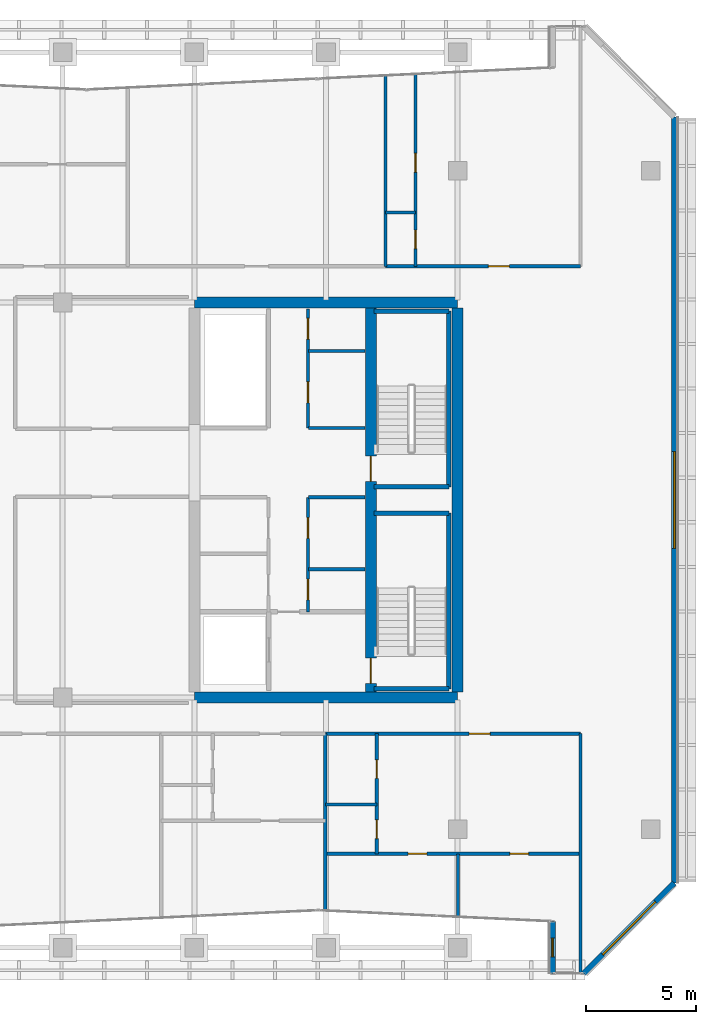
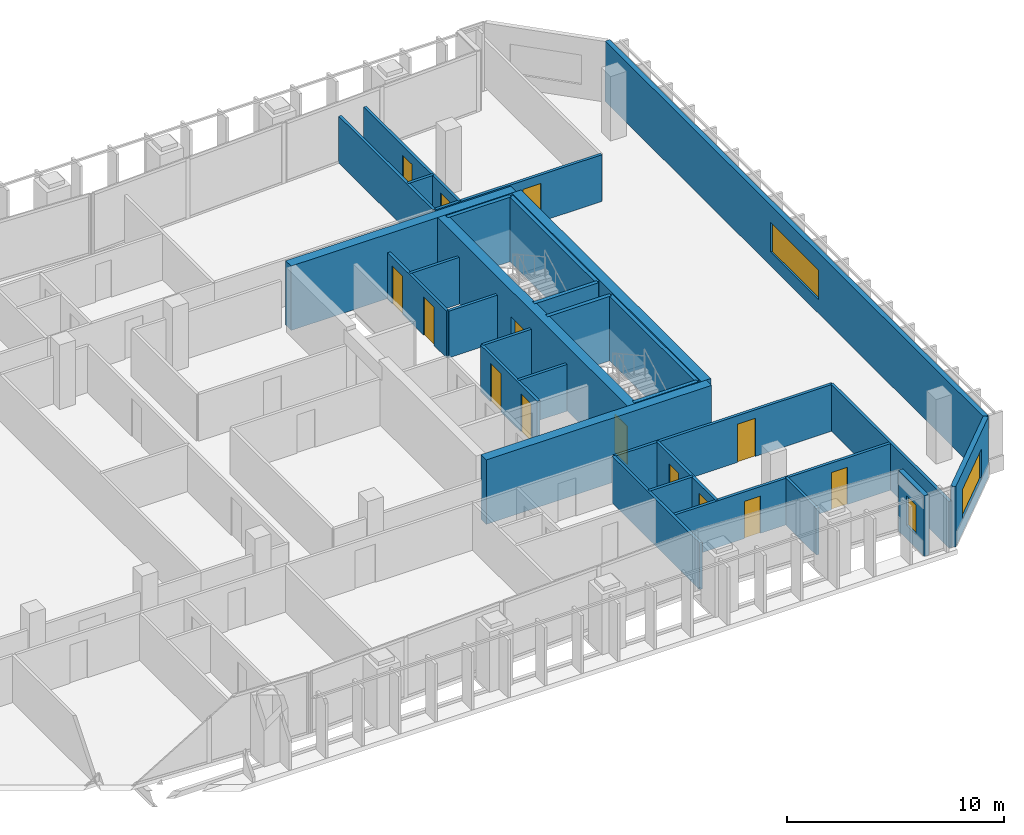
# One storey, part 23 of 29: 30 walls, 14 doors, 3 windows, 17 openings.
"""IFC4 building model written with IfcOpenShell, lengths in metres."""

from ifc_helpers import new_model, si_unit, direction, frame, frame_2d, origin, place, context, subcontext, project, spatial, rectangle, extrude, material, layer, layer_set, type_object, element, fill, save


model = new_model("IFC4")

# Units and contexts
model_context = context("Model", 3, precision=1e-05, world=origin(), true_north=direction((0.0, 1.0)))
body_context = subcontext(model_context, "Body", "Model", "MODEL_VIEW")
ifc_project = project(units=[si_unit("LENGTHUNIT", "METRE"), si_unit("AREAUNIT", "SQUARE_METRE"), si_unit("VOLUMEUNIT", "CUBIC_METRE"), si_unit("PLANEANGLEUNIT", "RADIAN"), si_unit("MASSUNIT", "GRAM", prefix="KILO")], contexts=[model_context])

# Site, building, storey
site_placement = place(None, origin())
site = spatial("IfcSite", under=ifc_project, at=site_placement, CompositionType="ELEMENT")
building_placement = place(site_placement, origin())
building = spatial("IfcBuilding", under=site, at=building_placement, Name="Tanjung Sevakor Pilgrim Tower", CompositionType="ELEMENT")
storey_placement = place(building_placement, frame((0.0, 0.0, 162.030029296875)))
storey = spatial("IfcBuildingStorey", under=building, at=storey_placement, Name="L45", CompositionType="ELEMENT", Elevation=162.030029296875)

# Walls
ifc_material_1 = material(Name="Concrete C60/75", Category="concrete")
ifc_layer_1 = layer(ifc_material_1, 0.5)
ifc_layer_set_1 = layer_set([ifc_layer_1], Name="WALL-CW-500")
wall_type_1 = type_object("IfcWallType", Name="WALL-CW-500", PredefinedType="SHEAR", material=ifc_layer_set_1)
for number, where, z_axis, x_axis, name in (
    (1, (78.0, 24.60009765625, 0.0), (0.0, 0.0, 1.0), (1.0, 0.0, 0.0), "L45 E Core South Shear Wall"),
    (2, (90.0, 42.60009765625, 0.0), (0.0, 0.0, 1.0), (-1.0, 0.0, 0.0), "L45 E Core North Shear Wall"),
):
    element("IfcWall", number, at=place(storey_placement, frame(where, z_axis=z_axis, x_axis=x_axis)), inside=storey, type_object=wall_type_1, Name=name, PredefinedType="SHEAR", context=body_context, shape_type="SweptSolid", body=[
        extrude(rectangle(XDim=12.0, YDim=0.5, at=frame_2d((6.0, 0.0))), origin(), (0.0, 0.0, 1.0), 3.6298828125),
    ])
wall_1_placement = place(storey_placement, frame((90.0, 24.85009765625, 0.0), z_axis=(0.0, 0.0, 1.0), x_axis=(0.0, 1.0, 0.0)))
element("IfcWall", 3, at=wall_1_placement, inside=storey, type_object=wall_type_1, Name="L45 E Core Outer Shear Wall", PredefinedType="SHEAR", context=body_context, shape_type="SweptSolid", body=[
    extrude(rectangle(XDim=17.5, YDim=0.5, at=frame_2d((8.75, 0.0))), origin(), (0.0, 0.0, 1.0), 3.6298828125),
])

# Wall, openings, doors
wall_2_placement = place(storey_placement, frame((86.050048828125, 24.85009765625, 0.0), z_axis=(0.0, 0.0, 1.0), x_axis=(0.0, 1.0, 0.0)))
wall_2 = element("IfcWall", 4, at=wall_2_placement, inside=storey, type_object=wall_type_1, Name="L45 E Core Stair Spine Wall", PredefinedType="SHEAR", context=body_context, shape_type="SweptSolid", body=[
    extrude(rectangle(XDim=17.5, YDim=0.5, at=frame_2d((8.75, 0.0))), origin(), (0.0, 0.0, 1.0), 3.6298828125),
])
opening_1_placement = place(wall_2_placement, frame((0.39990234375, 0.0, 0.0)))
opening_1 = element("IfcOpeningElement", 5, at=opening_1_placement, cuts=wall_2, Name="Opening ID-ST1", PredefinedType="OPENING", context=body_context, shape_type="SweptSolid", body=[
    extrude(rectangle(XDim=1.14990234375, YDim=2.14990234375, at=frame_2d((0.574951171875, 1.074951171875))), frame((0.0, 0.260009765625, 0.0), z_axis=(0.0, -1.0, 0.0), x_axis=(1.0, 0.0, 0.0)), (0.0, 0.0, 1.0), 0.52001953125),
])
opening_2_placement = place(wall_2_placement, frame((9.60009765625, 0.0, 0.0)))
opening_2 = element("IfcOpeningElement", 6, at=opening_2_placement, cuts=wall_2, Name="Opening ID-ST1", PredefinedType="OPENING", context=body_context, shape_type="SweptSolid", body=[
    extrude(rectangle(XDim=1.14990234375, YDim=2.14990234375, at=frame_2d((0.574951171875, 1.074951171875))), frame((0.0, 0.260009765625, 0.0), z_axis=(0.0, -1.0, 0.0), x_axis=(1.0, 0.0, 0.0)), (0.0, 0.0, 1.0), 0.52001953125),
])
ifc_material_2 = material(Name="Fire-Rated Steel S355J2", Category="steel")
door_type_1 = type_object("IfcDoorType", Name="DT-FIRE-1150", OperationType="NOTDEFINED", PredefinedType="DOOR", material=ifc_material_2)
door_1_placement = place(opening_1_placement, origin())
door_1 = element("IfcDoor", 7, at=door_1_placement, inside=storey, type_object=door_type_1, Name="L45 TS-E1 Stair Fire Door", OperationType="SINGLE_SWING_RIGHT", OverallHeight=2.14990234375, OverallWidth=1.14990234375, PredefinedType="DOOR", context=body_context, shape_type="SweptSolid", body=[
    extrude(rectangle(XDim=1.14990234375, YDim=2.14990234375, at=frame_2d((0.574951171875, 1.074951171875))), frame((0.0, 0.02490234375, 0.0), z_axis=(0.0, -1.0, 0.0), x_axis=(1.0, 0.0, 0.0)), (0.0, 0.0, 1.0), 0.050048828125),
])
fill(opening_1, door_1)
door_2_placement = place(opening_2_placement, origin())
door_2 = element("IfcDoor", 8, at=door_2_placement, inside=storey, type_object=door_type_1, Name="L45 TS-E2 Stair Fire Door", OperationType="SINGLE_SWING_LEFT", OverallHeight=2.14990234375, OverallWidth=1.14990234375, PredefinedType="DOOR", context=body_context, shape_type="SweptSolid", body=[
    extrude(rectangle(XDim=1.14990234375, YDim=2.14990234375, at=frame_2d((0.574951171875, 1.074951171875))), frame((0.0, 0.02490234375, 0.0), z_axis=(0.0, -1.0, 0.0), x_axis=(1.0, 0.0, 0.0)), (0.0, 0.0, 1.0), 0.050048828125),
])
fill(opening_2, door_2)

# Walls
ifc_material_3 = material(Name="Concrete C40/50", Category="concrete")
ifc_layer_2 = layer(ifc_material_3, 0.14990234375)
ifc_layer_set_2 = layer_set([ifc_layer_2], Name="WT-COMP-150")
wall_type_2 = type_object("IfcWallType", Name="WT-COMP-150", PredefinedType="SOLIDWALL", material=ifc_layer_set_2)
for number, where, z_axis, x_axis, name in (
    (9, (83.199951171875, 30.449951171875, 0.0), (0.0, 0.0, 1.0), (1.0, 0.0, 0.0), "L45 Partition IW-L45-016"),
    (10, (83.199951171875, 33.719970703125, 0.0), (0.0, 0.0, 1.0), (1.0, 0.0, 0.0), "L45 Partition IW-L45-017"),
):
    element("IfcWall", number, at=place(storey_placement, frame(where, z_axis=z_axis, x_axis=x_axis)), inside=storey, type_object=wall_type_2, Name=name, PredefinedType="SOLIDWALL", context=body_context, shape_type="SweptSolid", body=[
        extrude(rectangle(XDim=2.580078125, YDim=0.14990234375, at=frame_2d((1.2900390625, 0.0))), origin(), (0.0, 0.0, 1.0), 2.6298828125),
    ])

# Wall, openings, doors
wall_3_placement = place(storey_placement, frame((83.179931640625, 28.5, 0.0), z_axis=(0.0, 0.0, 1.0), x_axis=(0.0, 1.0, 0.0)))
wall_3 = element("IfcWall", 11, at=wall_3_placement, inside=storey, type_object=wall_type_2, Name="L45 Partition IW-L45-018", PredefinedType="SOLIDWALL", context=body_context, shape_type="SweptSolid", body=[
    extrude(rectangle(XDim=5.219970703125, YDim=0.14990234375, at=frame_2d((2.60986328125, 0.0))), origin(), (0.0, 0.0, 1.0), 2.6298828125),
])
opening_3_placement = place(wall_3_placement, frame((0.550048828125, 0.0, 0.0)))
opening_3 = element("IfcOpeningElement", 12, at=opening_3_placement, cuts=wall_3, Name="Opening ID-FD2", PredefinedType="OPENING", context=body_context, shape_type="SweptSolid", body=[
    extrude(rectangle(XDim=0.949951171875, YDim=2.14990234375, at=frame_2d((0.47509765625, 1.074951171875))), frame((0.0, 0.0849609375, 0.0), z_axis=(0.0, -1.0, 0.0), x_axis=(1.0, 0.0, 0.0)), (0.0, 0.0, 1.0), 0.169921875),
])
opening_4_placement = place(wall_3_placement, frame((3.35009765625, 0.0, 0.0)))
opening_4 = element("IfcOpeningElement", 13, at=opening_4_placement, cuts=wall_3, Name="Opening ID-FD2", PredefinedType="OPENING", context=body_context, shape_type="SweptSolid", body=[
    extrude(rectangle(XDim=0.949951171875, YDim=2.14990234375, at=frame_2d((0.47509765625, 1.074951171875))), frame((0.0, 0.0849609375, 0.0), z_axis=(0.0, -1.0, 0.0), x_axis=(1.0, 0.0, 0.0)), (0.0, 0.0, 1.0), 0.169921875),
])
ifc_material_4 = material(Name="Fire-Rated Timber", Category="wood")
door_type_2 = type_object("IfcDoorType", Name="DT-FIRE-950", OperationType="NOTDEFINED", PredefinedType="DOOR", material=ifc_material_4)
door_3_placement = place(opening_3_placement, origin())
door_3 = element("IfcDoor", 14, at=door_3_placement, inside=storey, type_object=door_type_2, Name="L45 Cleaner Store Door", OperationType="SINGLE_SWING_LEFT", OverallHeight=2.14990234375, OverallWidth=0.949951171875, PredefinedType="DOOR", context=body_context, shape_type="SweptSolid", body=[
    extrude(rectangle(XDim=0.949951171875, YDim=2.14990234375, at=frame_2d((0.47509765625, 1.074951171875))), frame((0.0, 0.02490234375, 0.0), z_axis=(0.0, -1.0, 0.0), x_axis=(1.0, 0.0, 0.0)), (0.0, 0.0, 1.0), 0.050048828125),
])
fill(opening_3, door_3)
door_4_placement = place(opening_4_placement, origin())
door_4 = element("IfcDoor", 15, at=door_4_placement, inside=storey, type_object=door_type_2, Name="L45 Housekeeping Pantry Door", OperationType="SINGLE_SWING_RIGHT", OverallHeight=2.14990234375, OverallWidth=0.949951171875, PredefinedType="DOOR", context=body_context, shape_type="SweptSolid", body=[
    extrude(rectangle(XDim=0.949951171875, YDim=2.14990234375, at=frame_2d((0.47509765625, 1.074951171875))), frame((0.0, 0.02490234375, 0.0), z_axis=(0.0, -1.0, 0.0), x_axis=(1.0, 0.0, 0.0)), (0.0, 0.0, 1.0), 0.050048828125),
])
fill(opening_4, door_4)

# Walls
for number, where, z_axis, x_axis, name in (
    (16, (83.199951171875, 36.8798828125, 0.0), (0.0, 0.0, 1.0), (1.0, 0.0, 0.0), "L45 Partition IW-L45-022"),
    (17, (83.199951171875, 40.389892578125, 0.0), (0.0, 0.0, 1.0), (1.0, 0.0, 0.0), "L45 Partition IW-L45-023"),
):
    element("IfcWall", number, at=place(storey_placement, frame(where, z_axis=z_axis, x_axis=x_axis)), inside=storey, type_object=wall_type_2, Name=name, PredefinedType="SOLIDWALL", context=body_context, shape_type="SweptSolid", body=[
        extrude(rectangle(XDim=2.580078125, YDim=0.14990234375, at=frame_2d((1.2900390625, 0.0))), origin(), (0.0, 0.0, 1.0), 2.6298828125),
    ])

# Wall, openings, doors
wall_4_placement = place(storey_placement, frame((83.179931640625, 36.8798828125, 0.0), z_axis=(0.0, 0.0, 1.0), x_axis=(0.0, 1.0, 0.0)))
wall_4 = element("IfcWall", 18, at=wall_4_placement, inside=storey, type_object=wall_type_2, Name="L45 Partition IW-L45-024", PredefinedType="SOLIDWALL", context=body_context, shape_type="SweptSolid", body=[
    extrude(rectangle(XDim=5.420166015625, YDim=0.14990234375, at=frame_2d((2.7099609375, 0.0))), origin(), (0.0, 0.0, 1.0), 2.6298828125),
])
opening_5_placement = place(wall_4_placement, frame((1.14990234375, 0.0, 0.0)))
opening_5 = element("IfcOpeningElement", 19, at=opening_5_placement, cuts=wall_4, Name="Opening ID-FD2", PredefinedType="OPENING", context=body_context, shape_type="SweptSolid", body=[
    extrude(rectangle(XDim=0.949951171875, YDim=2.14990234375, at=frame_2d((0.47509765625, 1.074951171875))), frame((0.0, 0.0849609375, 0.0), z_axis=(0.0, -1.0, 0.0), x_axis=(1.0, 0.0, 0.0)), (0.0, 0.0, 1.0), 0.169921875),
])
opening_6_placement = place(wall_4_placement, frame((4.050048828125, 0.0, 0.0)))
opening_6 = element("IfcOpeningElement", 20, at=opening_6_placement, cuts=wall_4, Name="Opening ID-FD2", PredefinedType="OPENING", context=body_context, shape_type="SweptSolid", body=[
    extrude(rectangle(XDim=0.949951171875, YDim=2.14990234375, at=frame_2d((0.47509765625, 1.074951171875))), frame((0.0, 0.0849609375, 0.0), z_axis=(0.0, -1.0, 0.0), x_axis=(1.0, 0.0, 0.0)), (0.0, 0.0, 1.0), 0.169921875),
])
door_5_placement = place(opening_5_placement, origin())
door_5 = element("IfcDoor", 21, at=door_5_placement, inside=storey, type_object=door_type_2, Name="L45 Core Study Room Door", OperationType="SINGLE_SWING_LEFT", OverallHeight=2.14990234375, OverallWidth=0.949951171875, PredefinedType="DOOR", context=body_context, shape_type="SweptSolid", body=[
    extrude(rectangle(XDim=0.949951171875, YDim=2.14990234375, at=frame_2d((0.47509765625, 1.074951171875))), frame((0.0, 0.02490234375, 0.0), z_axis=(0.0, -1.0, 0.0), x_axis=(1.0, 0.0, 0.0)), (0.0, 0.0, 1.0), 0.050048828125),
])
fill(opening_5, door_5)
door_6_placement = place(opening_6_placement, origin())
door_6 = element("IfcDoor", 22, at=door_6_placement, inside=storey, type_object=door_type_2, Name="L45 Service Store Door", OperationType="SINGLE_SWING_RIGHT", OverallHeight=2.14990234375, OverallWidth=0.949951171875, PredefinedType="DOOR", context=body_context, shape_type="SweptSolid", body=[
    extrude(rectangle(XDim=0.949951171875, YDim=2.14990234375, at=frame_2d((0.47509765625, 1.074951171875))), frame((0.0, 0.02490234375, 0.0), z_axis=(0.0, -1.0, 0.0), x_axis=(1.0, 0.0, 0.0)), (0.0, 0.0, 1.0), 0.050048828125),
])
fill(opening_6, door_6)

# Walls
wall_5_placement = place(storey_placement, frame((95.60009765625, 12.02490234375, 0.0), z_axis=(0.0, 0.0, 1.0), x_axis=(0.0, 1.0, 0.0)))
element("IfcWall", 23, at=wall_5_placement, inside=storey, type_object=wall_type_2, Name="L45 Partition IW-L45-073", PredefinedType="SOLIDWALL", context=body_context, shape_type="SweptSolid", body=[
    extrude(rectangle(XDim=10.925048828125, YDim=0.14990234375, at=frame_2d((5.46240234375, 0.0))), origin(), (0.0, 0.0, 1.0), 2.6298828125),
])
wall_6_placement = place(storey_placement, frame((83.968505859375, 14.889892578125, 0.0), z_axis=(0.0, 0.0, 1.0), x_axis=(0.0, 1.0, 0.0)))
element("IfcWall", 24, at=wall_6_placement, inside=storey, type_object=wall_type_2, Name="L45 Partition IW-L45-082", PredefinedType="SOLIDWALL", context=body_context, shape_type="SweptSolid", body=[
    extrude(rectangle(XDim=8.06005859375, YDim=0.14990234375, at=frame_2d((4.030029296875, 0.0))), origin(), (0.0, 0.0, 1.0), 2.6298828125),
])

# Wall, opening, door
wall_7_placement = place(storey_placement, frame((83.968505859375, 22.949951171875, 0.0), z_axis=(0.0, 0.0, 1.0), x_axis=(1.0, 0.0, 0.0)))
wall_7 = element("IfcWall", 25, at=wall_7_placement, inside=storey, type_object=wall_type_2, Name="L45 Partition IW-L45-091", PredefinedType="SOLIDWALL", context=body_context, shape_type="SweptSolid", body=[
    extrude(rectangle(XDim=11.631591796875, YDim=0.14990234375, at=frame_2d((5.81591796875, 0.0))), origin(), (0.0, 0.0, 1.0), 2.6298828125),
])
opening_7_placement = place(wall_7_placement, frame((6.555908203125, 0.0, 0.0)))
opening_7 = element("IfcOpeningElement", 26, at=opening_7_placement, cuts=wall_7, Name="Opening ID-FD2", PredefinedType="OPENING", context=body_context, shape_type="SweptSolid", body=[
    extrude(rectangle(XDim=0.949951171875, YDim=2.14990234375, at=frame_2d((0.47509765625, 1.074951171875))), frame((0.0, 0.0849609375, 0.0), z_axis=(0.0, -1.0, 0.0), x_axis=(1.0, 0.0, 0.0)), (0.0, 0.0, 1.0), 0.169921875),
])
door_7_placement = place(opening_7_placement, origin())
door_7 = element("IfcDoor", 27, at=door_7_placement, inside=storey, type_object=door_type_2, Name="Suite Entrance", OperationType="SINGLE_SWING_RIGHT", OverallHeight=2.14990234375, OverallWidth=0.949951171875, PredefinedType="DOOR", context=body_context, shape_type="SweptSolid", body=[
    extrude(rectangle(XDim=0.949951171875, YDim=2.14990234375, at=frame_2d((0.47509765625, 1.074951171875))), frame((0.0, 0.02490234375, 0.0), z_axis=(0.0, -1.0, 0.0), x_axis=(1.0, 0.0, 0.0)), (0.0, 0.0, 1.0), 0.050048828125),
])
fill(opening_7, door_7)

# Wall
wall_8_placement = place(storey_placement, frame((86.713623046875, 44.25, 0.0), z_axis=(0.0, 0.0, 1.0), x_axis=(0.0, 1.0, 0.0)))
element("IfcWall", 28, at=wall_8_placement, inside=storey, type_object=wall_type_2, Name="L45 Partition IW-L45-115", PredefinedType="SOLIDWALL", context=body_context, shape_type="SweptSolid", body=[
    extrude(rectangle(XDim=8.68994140625, YDim=0.14990234375, at=frame_2d((4.344970703125, 0.0))), origin(), (0.0, 0.0, 1.0), 2.6298828125),
])

# Wall, opening, door
wall_9_placement = place(storey_placement, frame((86.713623046875, 44.25, 0.0), z_axis=(0.0, 0.0, 1.0), x_axis=(1.0, 0.0, 0.0)))
wall_9 = element("IfcWall", 29, at=wall_9_placement, inside=storey, type_object=wall_type_2, Name="L45 Partition IW-L45-119", PredefinedType="SOLIDWALL", context=body_context, shape_type="SweptSolid", body=[
    extrude(rectangle(XDim=8.886474609375, YDim=0.14990234375, at=frame_2d((4.443359375, 0.0))), origin(), (0.0, 0.0, 1.0), 2.6298828125),
])
opening_8_placement = place(wall_9_placement, frame((4.69140625, 0.0, 0.0)))
opening_8 = element("IfcOpeningElement", 30, at=opening_8_placement, cuts=wall_9, Name="Opening ID-FD2", PredefinedType="OPENING", context=body_context, shape_type="SweptSolid", body=[
    extrude(rectangle(XDim=0.949951171875, YDim=2.14990234375, at=frame_2d((0.47509765625, 1.074951171875))), frame((0.0, 0.0849609375, 0.0), z_axis=(0.0, -1.0, 0.0), x_axis=(1.0, 0.0, 0.0)), (0.0, 0.0, 1.0), 0.169921875),
])
door_8_placement = place(opening_8_placement, origin())
door_8 = element("IfcDoor", 31, at=door_8_placement, inside=storey, type_object=door_type_2, Name="Hostel Quad Entrance", OperationType="SINGLE_SWING_LEFT", OverallHeight=2.14990234375, OverallWidth=0.949951171875, PredefinedType="DOOR", context=body_context, shape_type="SweptSolid", body=[
    extrude(rectangle(XDim=0.949951171875, YDim=2.14990234375, at=frame_2d((0.47509765625, 1.074951171875))), frame((0.0, 0.02490234375, 0.0), z_axis=(0.0, -1.0, 0.0), x_axis=(1.0, 0.0, 0.0)), (0.0, 0.0, 1.0), 0.050048828125),
])
fill(opening_8, door_8)

# Wall, opening, window
ifc_material_5 = material(Name="Precast concrete C45/55", Category="concrete")
ifc_layer_3 = layer(ifc_material_5, 0.25)
ifc_layer_set_3 = layer_set([ifc_layer_3], Name="WT-EW-STN3")
wall_type_3 = type_object("IfcWallType", Name="WT-EW-STN3", PredefinedType="SOLIDWALL", material=ifc_layer_set_3)
wall_10_placement = place(storey_placement, frame((94.324951171875, 14.399169921875, 0.0), z_axis=(0.0, 0.0, 1.0), x_axis=(0.0, -1.0, 0.0)))
wall_10 = element("IfcWall", 32, at=wall_10_placement, inside=storey, type_object=wall_type_3, Name="L45 MAIN Exterior Wall 14", PredefinedType="SOLIDWALL", context=body_context, shape_type="SweptSolid", body=[
    extrude(rectangle(XDim=2.374267578125, YDim=0.25, at=frame_2d((1.18701171875, 0.0))), origin(), (0.0, 0.0, 1.0), 3.409912109375),
])
opening_9_placement = place(wall_10_placement, frame((0.76220703125, 0.0, 0.780029296875)))
opening_9 = element("IfcOpeningElement", 33, at=opening_9_placement, cuts=wall_10, Name="Opening WN-SLM", PredefinedType="OPENING", context=body_context, shape_type="SweptSolid", body=[
    extrude(rectangle(XDim=0.85009765625, YDim=1.64990234375, at=frame_2d((0.425048828125, 0.824951171875))), frame((0.0, 0.135009765625, 0.0), z_axis=(0.0, -1.0, 0.0), x_axis=(1.0, 0.0, 0.0)), (0.0, 0.0, 1.0), 0.27001953125),
])
ifc_material_6 = material(Name="Thermally Broken Aluminium and Low-E Glass", Category="aluminium")
window_type_1 = type_object("IfcWindowType", Name="WTYP-WN-SLM", PartitioningType="SINGLE_PANEL", PredefinedType="WINDOW", material=ifc_material_6)
window_1_placement = place(opening_9_placement, origin())
window_1 = element("IfcWindow", 34, at=window_1_placement, inside=storey, type_object=window_type_1, Name="L45 Facade Window 01", OverallHeight=1.64990234375, OverallWidth=0.85009765625, PartitioningType="SINGLE_PANEL", PredefinedType="WINDOW", context=body_context, shape_type="SweptSolid", body=[
    extrude(rectangle(XDim=0.85009765625, YDim=1.64990234375, at=frame_2d((0.425048828125, 0.824951171875))), frame((0.0, 0.030029296875, 0.0), z_axis=(0.0, -1.0, 0.0), x_axis=(1.0, 0.0, 0.0)), (0.0, 0.0, 1.0), 0.06005859375),
])
fill(opening_9, window_1)

wall_11_placement = place(storey_placement, frame((95.748291015625, 12.02490234375, 0.0), z_axis=(0.0, 0.0, 1.0), x_axis=(0.70708586489, 0.707127696864, 0.0)))
wall_11 = element("IfcWall", 35, at=wall_11_placement, inside=storey, type_object=wall_type_3, Name="L45 MAIN Sculpted Corner Wall 15", PredefinedType="SOLIDWALL", context=body_context, shape_type="SweptSolid", body=[
    extrude(rectangle(XDim=5.836181640625, YDim=0.25, at=frame_2d((2.91796875, 0.0))), origin(), (0.0, 0.0, 1.0), 3.409912109375),
])
opening_10_placement = place(wall_11_placement, frame((1.218017578125, 0.0, 0.780029296875)))
opening_10 = element("IfcOpeningElement", 36, at=opening_10_placement, cuts=wall_11, Name="Opening WN-CHM-1660", PredefinedType="OPENING", context=body_context, shape_type="SweptSolid", body=[
    extrude(rectangle(XDim=3.39990234375, YDim=1.659912109375, at=frame_2d((1.699951171875, 0.830078125))), frame((0.0, 0.135009765625, 0.0), z_axis=(0.0, -1.0, 0.0), x_axis=(1.0, 0.0, 0.0)), (0.0, 0.0, 1.0), 0.27001953125),
])
ifc_material_7 = material(Name="Thermally Broken Aluminium and Low-E Glass", Category="aluminium")
window_type_2 = type_object("IfcWindowType", Name="WTYP-WN-CHM-1660", PartitioningType="DOUBLE_PANEL_VERTICAL", PredefinedType="WINDOW", material=ifc_material_7)
window_2_placement = place(opening_10_placement, origin())
window_2 = element("IfcWindow", 37, at=window_2_placement, inside=storey, type_object=window_type_2, Name="L45 Facade Window 01", OverallHeight=1.659912109375, OverallWidth=3.39990234375, PartitioningType="SINGLE_PANEL", PredefinedType="WINDOW", context=body_context, shape_type="SweptSolid", body=[
    extrude(rectangle(XDim=3.39990234375, YDim=1.659912109375, at=frame_2d((1.699951171875, 0.830078125))), frame((0.0, 0.030029296875, 0.0), z_axis=(0.0, -1.0, 0.0), x_axis=(1.0, 0.0, 0.0)), (0.0, 0.0, 1.0), 0.06005859375),
])
fill(opening_10, window_2)

wall_12_placement = place(storey_placement, frame((99.875, 16.15185546875, 0.0), z_axis=(0.0, 0.0, 1.0), x_axis=(0.0, 1.0, 0.0)))
wall_12 = element("IfcWall", 38, at=wall_12_placement, inside=storey, type_object=wall_type_3, Name="L45 MAIN Exterior Wall 17", PredefinedType="SOLIDWALL", context=body_context, shape_type="SweptSolid", body=[
    extrude(rectangle(XDim=34.896240234375, YDim=0.25, at=frame_2d((17.4482421875, 0.0))), origin(), (0.0, 0.0, 1.0), 3.409912109375),
])
opening_11_placement = place(wall_12_placement, frame((15.248291015625, 0.0, 0.780029296875)))
opening_11 = element("IfcOpeningElement", 39, at=opening_11_placement, cuts=wall_12, Name="Opening WN-ENDW-1660", PredefinedType="OPENING", context=body_context, shape_type="SweptSolid", body=[
    extrude(rectangle(XDim=4.39990234375, YDim=1.659912109375, at=frame_2d((2.199951171875, 0.830078125))), frame((0.0, 0.135009765625, 0.0), z_axis=(0.0, -1.0, 0.0), x_axis=(1.0, 0.0, 0.0)), (0.0, 0.0, 1.0), 0.27001953125),
])
ifc_material_8 = material(Name="Thermally Broken Aluminium and Low-E Glass", Category="aluminium")
window_type_3 = type_object("IfcWindowType", Name="WTYP-WN-ENDW-1660", PartitioningType="DOUBLE_PANEL_VERTICAL", PredefinedType="WINDOW", material=ifc_material_8)
window_3_placement = place(opening_11_placement, origin())
window_3 = element("IfcWindow", 40, at=window_3_placement, inside=storey, type_object=window_type_3, Name="L45 Facade Window 01", OverallHeight=1.659912109375, OverallWidth=4.39990234375, PartitioningType="SINGLE_PANEL", PredefinedType="WINDOW", context=body_context, shape_type="SweptSolid", body=[
    extrude(rectangle(XDim=4.39990234375, YDim=1.659912109375, at=frame_2d((2.199951171875, 0.830078125))), frame((0.0, 0.030029296875, 0.0), z_axis=(0.0, -1.0, 0.0), x_axis=(1.0, 0.0, 0.0)), (0.0, 0.0, 1.0), 0.06005859375),
])
fill(opening_11, window_3)

# Walls
ifc_material_9 = material(Name="Concrete C40/50", Category="concrete")
ifc_layer_4 = layer(ifc_material_9, 0.199951171875)
ifc_layer_set_4 = layer_set([ifc_layer_4], Name="WT-FIRE-200")
wall_type_4 = type_object("IfcWallType", Name="WT-FIRE-200", PredefinedType="SOLIDWALL", material=ifc_layer_set_4)
wall_13_placement = place(storey_placement, frame((86.199951171875, 25.0, 0.0), z_axis=(0.0, 0.0, 1.0), x_axis=(1.0, 0.0, 0.0)))
element("IfcWall", 41, at=wall_13_placement, inside=storey, type_object=wall_type_4, Name="L45 TS-E1 Shaft Wall 1", PredefinedType="SOLIDWALL", context=body_context, shape_type="SweptSolid", body=[
    extrude(rectangle(XDim=3.400146484375, YDim=0.199951171875, at=frame_2d((1.7001953125, 0.0))), origin(), (0.0, 0.0, 1.0), 3.6298828125),
])
wall_14_placement = place(storey_placement, frame((89.60009765625, 25.0, 0.0), z_axis=(0.0, 0.0, 1.0), x_axis=(0.0, 1.0, 0.0)))
element("IfcWall", 42, at=wall_14_placement, inside=storey, type_object=wall_type_4, Name="L45 TS-E1 Shaft Wall 2", PredefinedType="SOLIDWALL", context=body_context, shape_type="SweptSolid", body=[
    extrude(rectangle(XDim=8.0, YDim=0.199951171875, at=frame_2d((4.0, 0.0))), origin(), (0.0, 0.0, 1.0), 3.6298828125),
])
for number, where, z_axis, x_axis, name in (
    (43, (89.60009765625, 33.0, 0.0), (0.0, 0.0, 1.0), (-1.0, 0.0, 0.0), "L45 TS-E1 Shaft Wall 3"),
    (44, (86.199951171875, 34.199951171875, 0.0), (0.0, 0.0, 1.0), (1.0, 0.0, 0.0), "L45 TS-E2 Shaft Wall 1"),
):
    element("IfcWall", number, at=place(storey_placement, frame(where, z_axis=z_axis, x_axis=x_axis)), inside=storey, type_object=wall_type_4, Name=name, PredefinedType="SOLIDWALL", context=body_context, shape_type="SweptSolid", body=[
        extrude(rectangle(XDim=3.400146484375, YDim=0.199951171875, at=frame_2d((1.7001953125, 0.0))), origin(), (0.0, 0.0, 1.0), 3.6298828125),
    ])
wall_15_placement = place(storey_placement, frame((89.60009765625, 34.199951171875, 0.0), z_axis=(0.0, 0.0, 1.0), x_axis=(0.0, 1.0, 0.0)))
element("IfcWall", 45, at=wall_15_placement, inside=storey, type_object=wall_type_4, Name="L45 TS-E2 Shaft Wall 2", PredefinedType="SOLIDWALL", context=body_context, shape_type="SweptSolid", body=[
    extrude(rectangle(XDim=8.0, YDim=0.199951171875, at=frame_2d((4.0, 0.0))), origin(), (0.0, 0.0, 1.0), 3.6298828125),
])
wall_16_placement = place(storey_placement, frame((89.60009765625, 42.199951171875, 0.0), z_axis=(0.0, 0.0, 1.0), x_axis=(-1.0, 0.0, 0.0)))
element("IfcWall", 46, at=wall_16_placement, inside=storey, type_object=wall_type_4, Name="L45 TS-E2 Shaft Wall 3", PredefinedType="SOLIDWALL", context=body_context, shape_type="SweptSolid", body=[
    extrude(rectangle(XDim=3.400146484375, YDim=0.199951171875, at=frame_2d((1.7001953125, 0.0))), origin(), (0.0, 0.0, 1.0), 3.6298828125),
])
ifc_material_10 = material(Name="Gypsum Board Partition", Category="gypsum board")
ifc_layer_5 = layer(ifc_material_10, 0.14990234375)
ifc_layer_set_5 = layer_set([ifc_layer_5], Name="WT-PART-150")
wall_type_5 = type_object("IfcWallType", Name="WT-PART-150", PredefinedType="PARTITIONING", material=ifc_layer_set_5)
wall_17_placement = place(storey_placement, frame((83.968505859375, 19.723388671875, 0.0), z_axis=(0.0, 0.0, 1.0), x_axis=(1.0, 0.0, 0.0)))
element("IfcWall", 47, at=wall_17_placement, inside=storey, type_object=wall_type_5, Name="L45 Partition IW-L45-087", PredefinedType="PARTITIONING", context=body_context, shape_type="SweptSolid", body=[
    extrude(rectangle(XDim=2.349853515625, YDim=0.14990234375, at=frame_2d((1.1748046875, 0.0))), origin(), (0.0, 0.0, 1.0), 2.6298828125),
])

# Wall, openings, doors
wall_18_placement = place(storey_placement, frame((86.318359375, 17.48095703125, 0.0), z_axis=(0.0, 0.0, 1.0), x_axis=(0.0, 1.0, 0.0)))
wall_18 = element("IfcWall", 48, at=wall_18_placement, inside=storey, type_object=wall_type_5, Name="L45 Partition IW-L45-088", PredefinedType="PARTITIONING", context=body_context, shape_type="SweptSolid", body=[
    extrude(rectangle(XDim=5.468994140625, YDim=0.14990234375, at=frame_2d((2.734375, 0.0))), origin(), (0.0, 0.0, 1.0), 2.6298828125),
])
opening_12_placement = place(wall_18_placement, frame((0.696044921875, 0.0, 0.0)))
opening_12 = element("IfcOpeningElement", 49, at=opening_12_placement, cuts=wall_18, Name="Opening ID-WC1", PredefinedType="OPENING", context=body_context, shape_type="SweptSolid", body=[
    extrude(rectangle(XDim=0.85009765625, YDim=2.10009765625, at=frame_2d((0.425048828125, 1.050048828125))), frame((0.0, 0.0849609375, 0.0), z_axis=(0.0, -1.0, 0.0), x_axis=(1.0, 0.0, 0.0)), (0.0, 0.0, 1.0), 0.169921875),
])
opening_13_placement = place(wall_18_placement, frame((3.4306640625, 0.0, 0.0)))
opening_13 = element("IfcOpeningElement", 50, at=opening_13_placement, cuts=wall_18, Name="Opening ID-WC1", PredefinedType="OPENING", context=body_context, shape_type="SweptSolid", body=[
    extrude(rectangle(XDim=0.85009765625, YDim=2.10009765625, at=frame_2d((0.425048828125, 1.050048828125))), frame((0.0, 0.0849609375, 0.0), z_axis=(0.0, -1.0, 0.0), x_axis=(1.0, 0.0, 0.0)), (0.0, 0.0, 1.0), 0.169921875),
])
ifc_material_11 = material(Name="Moisture-Resistant Timber", Category="wood")
door_type_3 = type_object("IfcDoorType", Name="DT-INT-850", OperationType="NOTDEFINED", PredefinedType="DOOR", material=ifc_material_11)
door_9_placement = place(opening_12_placement, origin())
door_9 = element("IfcDoor", 51, at=door_9_placement, inside=storey, type_object=door_type_3, Name="Suite Bathroom Door", OperationType="SINGLE_SWING_RIGHT", OverallHeight=2.10009765625, OverallWidth=0.85009765625, PredefinedType="DOOR", context=body_context, shape_type="SweptSolid", body=[
    extrude(rectangle(XDim=0.85009765625, YDim=2.10009765625, at=frame_2d((0.425048828125, 1.050048828125))), frame((0.0, 0.02490234375, 0.0), z_axis=(0.0, -1.0, 0.0), x_axis=(1.0, 0.0, 0.0)), (0.0, 0.0, 1.0), 0.050048828125),
])
fill(opening_12, door_9)
door_10_placement = place(opening_13_placement, origin())
door_10 = element("IfcDoor", 52, at=door_10_placement, inside=storey, type_object=door_type_3, Name="Suite Kitchenette Door", OperationType="SINGLE_SWING_LEFT", OverallHeight=2.10009765625, OverallWidth=0.85009765625, PredefinedType="DOOR", context=body_context, shape_type="SweptSolid", body=[
    extrude(rectangle(XDim=0.85009765625, YDim=2.10009765625, at=frame_2d((0.425048828125, 1.050048828125))), frame((0.0, 0.02490234375, 0.0), z_axis=(0.0, -1.0, 0.0), x_axis=(1.0, 0.0, 0.0)), (0.0, 0.0, 1.0), 0.050048828125),
])
fill(opening_13, door_10)

# Wall
wall_19_placement = place(storey_placement, frame((90.016845703125, 14.603515625, 0.0), z_axis=(0.0, 0.0, 1.0), x_axis=(0.0, 1.0, 0.0)))
element("IfcWall", 53, at=wall_19_placement, inside=storey, type_object=wall_type_5, Name="L45 Partition IW-L45-089", PredefinedType="PARTITIONING", context=body_context, shape_type="SweptSolid", body=[
    extrude(rectangle(XDim=2.87744140625, YDim=0.14990234375, at=frame_2d((1.438720703125, 0.0))), origin(), (0.0, 0.0, 1.0), 2.6298828125),
])

# Wall, openings, doors
wall_20_placement = place(storey_placement, frame((83.968505859375, 17.48095703125, 0.0), z_axis=(0.0, 0.0, 1.0), x_axis=(1.0, 0.0, 0.0)))
wall_20 = element("IfcWall", 54, at=wall_20_placement, inside=storey, type_object=wall_type_5, Name="L45 Partition IW-L45-090", PredefinedType="PARTITIONING", context=body_context, shape_type="SweptSolid", body=[
    extrude(rectangle(XDim=11.631591796875, YDim=0.14990234375, at=frame_2d((5.81591796875, 0.0))), origin(), (0.0, 0.0, 1.0), 2.6298828125),
])
opening_14_placement = place(wall_20_placement, frame((3.774169921875, 0.0, 0.0)))
opening_14 = element("IfcOpeningElement", 55, at=opening_14_placement, cuts=wall_20, Name="Opening ID-WC1", PredefinedType="OPENING", context=body_context, shape_type="SweptSolid", body=[
    extrude(rectangle(XDim=0.85009765625, YDim=2.10009765625, at=frame_2d((0.425048828125, 1.050048828125))), frame((0.0, 0.0849609375, 0.0), z_axis=(0.0, -1.0, 0.0), x_axis=(1.0, 0.0, 0.0)), (0.0, 0.0, 1.0), 0.169921875),
])
opening_15_placement = place(wall_20_placement, frame((8.4150390625, 0.0, 0.0)))
opening_15 = element("IfcOpeningElement", 56, at=opening_15_placement, cuts=wall_20, Name="Opening ID-WC1", PredefinedType="OPENING", context=body_context, shape_type="SweptSolid", body=[
    extrude(rectangle(XDim=0.85009765625, YDim=2.10009765625, at=frame_2d((0.425048828125, 1.050048828125))), frame((0.0, 0.0849609375, 0.0), z_axis=(0.0, -1.0, 0.0), x_axis=(1.0, 0.0, 0.0)), (0.0, 0.0, 1.0), 0.169921875),
])
door_11_placement = place(opening_14_placement, origin())
door_11 = element("IfcDoor", 57, at=door_11_placement, inside=storey, type_object=door_type_3, Name="Suite Bedroom 1 Door", OperationType="SINGLE_SWING_RIGHT", OverallHeight=2.10009765625, OverallWidth=0.85009765625, PredefinedType="DOOR", context=body_context, shape_type="SweptSolid", body=[
    extrude(rectangle(XDim=0.85009765625, YDim=2.10009765625, at=frame_2d((0.425048828125, 1.050048828125))), frame((0.0, 0.02490234375, 0.0), z_axis=(0.0, -1.0, 0.0), x_axis=(1.0, 0.0, 0.0)), (0.0, 0.0, 1.0), 0.050048828125),
])
fill(opening_14, door_11)
door_12_placement = place(opening_15_placement, origin())
door_12 = element("IfcDoor", 58, at=door_12_placement, inside=storey, type_object=door_type_3, Name="Suite Bedroom 2 Door", OperationType="SINGLE_SWING_LEFT", OverallHeight=2.10009765625, OverallWidth=0.85009765625, PredefinedType="DOOR", context=body_context, shape_type="SweptSolid", body=[
    extrude(rectangle(XDim=0.85009765625, YDim=2.10009765625, at=frame_2d((0.425048828125, 1.050048828125))), frame((0.0, 0.02490234375, 0.0), z_axis=(0.0, -1.0, 0.0), x_axis=(1.0, 0.0, 0.0)), (0.0, 0.0, 1.0), 0.050048828125),
])
fill(opening_15, door_12)

# Wall
wall_21_placement = place(storey_placement, frame((86.713623046875, 46.699951171875, 0.0), z_axis=(0.0, 0.0, 1.0), x_axis=(1.0, 0.0, 0.0)))
element("IfcWall", 59, at=wall_21_placement, inside=storey, type_object=wall_type_5, Name="L45 Partition IW-L45-117", PredefinedType="PARTITIONING", context=body_context, shape_type="SweptSolid", body=[
    extrude(rectangle(XDim=1.366455078125, YDim=0.14990234375, at=frame_2d((0.68310546875, 0.0))), origin(), (0.0, 0.0, 1.0), 2.6298828125),
])

# Wall, openings, doors
wall_22_placement = place(storey_placement, frame((88.080078125, 44.25, 0.0), z_axis=(0.0, 0.0, 1.0), x_axis=(0.0, 1.0, 0.0)))
wall_22 = element("IfcWall", 60, at=wall_22_placement, inside=storey, type_object=wall_type_5, Name="L45 Partition IW-L45-118", PredefinedType="PARTITIONING", context=body_context, shape_type="SweptSolid", body=[
    extrude(rectangle(XDim=8.7548828125, YDim=0.14990234375, at=frame_2d((4.37744140625, 0.0))), origin(), (0.0, 0.0, 1.0), 2.6298828125),
])
opening_16_placement = place(wall_22_placement, frame((0.800048828125, 0.0, 0.0)))
opening_16 = element("IfcOpeningElement", 61, at=opening_16_placement, cuts=wall_22, Name="Opening ID-WC1", PredefinedType="OPENING", context=body_context, shape_type="SweptSolid", body=[
    extrude(rectangle(XDim=0.85009765625, YDim=2.10009765625, at=frame_2d((0.425048828125, 1.050048828125))), frame((0.0, 0.0849609375, 0.0), z_axis=(0.0, -1.0, 0.0), x_axis=(1.0, 0.0, 0.0)), (0.0, 0.0, 1.0), 0.169921875),
])
opening_17_placement = place(wall_22_placement, frame((4.2900390625, 0.0, 0.0)))
opening_17 = element("IfcOpeningElement", 62, at=opening_17_placement, cuts=wall_22, Name="Opening ID-WC1", PredefinedType="OPENING", context=body_context, shape_type="SweptSolid", body=[
    extrude(rectangle(XDim=0.85009765625, YDim=2.10009765625, at=frame_2d((0.425048828125, 1.050048828125))), frame((0.0, 0.0849609375, 0.0), z_axis=(0.0, -1.0, 0.0), x_axis=(1.0, 0.0, 0.0)), (0.0, 0.0, 1.0), 0.169921875),
])
door_13_placement = place(opening_16_placement, origin())
door_13 = element("IfcDoor", 63, at=door_13_placement, inside=storey, type_object=door_type_3, Name="Bathroom Door", OperationType="SINGLE_SWING_LEFT", OverallHeight=2.10009765625, OverallWidth=0.85009765625, PredefinedType="DOOR", context=body_context, shape_type="SweptSolid", body=[
    extrude(rectangle(XDim=0.85009765625, YDim=2.10009765625, at=frame_2d((0.425048828125, 1.050048828125))), frame((0.0, 0.02490234375, 0.0), z_axis=(0.0, -1.0, 0.0), x_axis=(1.0, 0.0, 0.0)), (0.0, 0.0, 1.0), 0.050048828125),
])
fill(opening_16, door_13)
door_14_placement = place(opening_17_placement, origin())
door_14 = element("IfcDoor", 64, at=door_14_placement, inside=storey, type_object=door_type_3, Name="Study Nook Door", OperationType="SINGLE_SWING_RIGHT", OverallHeight=2.10009765625, OverallWidth=0.85009765625, PredefinedType="DOOR", context=body_context, shape_type="SweptSolid", body=[
    extrude(rectangle(XDim=0.85009765625, YDim=2.10009765625, at=frame_2d((0.425048828125, 1.050048828125))), frame((0.0, 0.02490234375, 0.0), z_axis=(0.0, -1.0, 0.0), x_axis=(1.0, 0.0, 0.0)), (0.0, 0.0, 1.0), 0.050048828125),
])
fill(opening_17, door_14)

save(model, "model.ifc")
